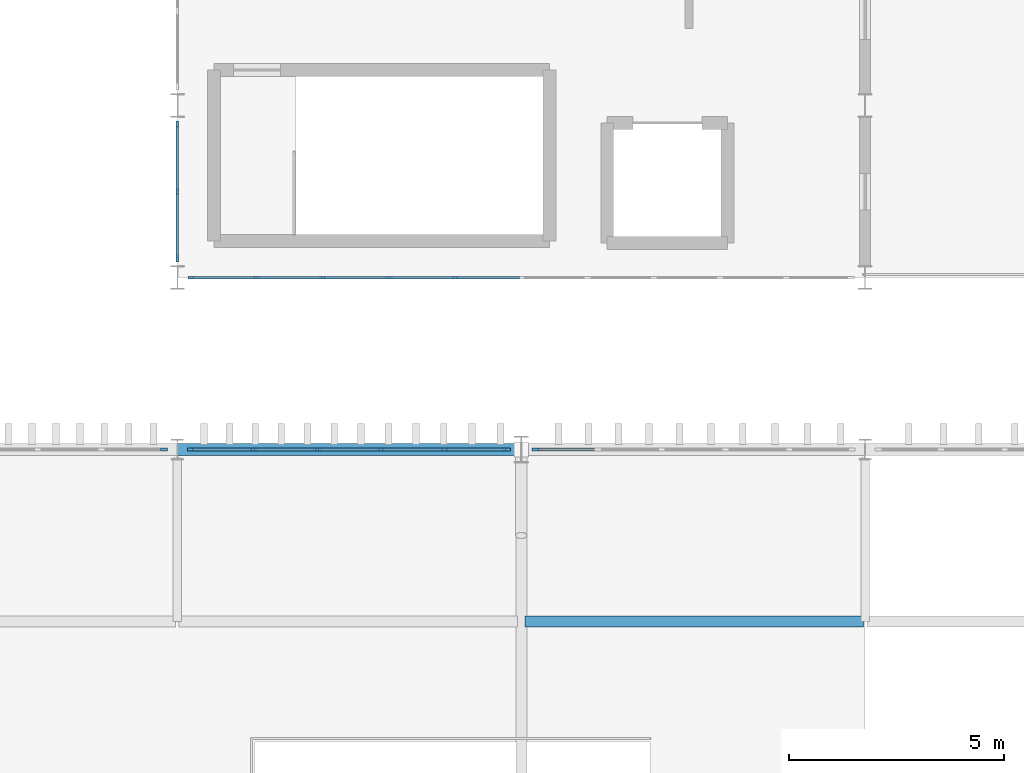
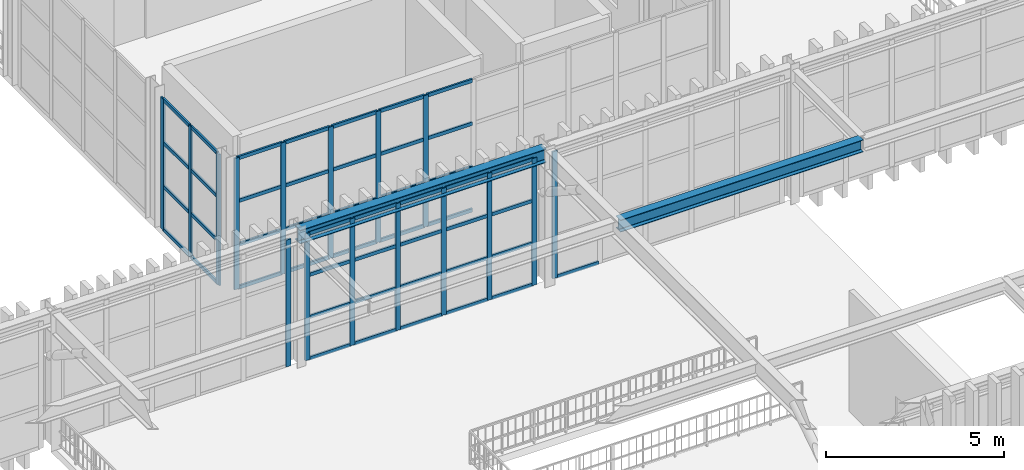
# One storey, part 25 of 61: 65 members, 2 beams, 5 elements without a shape of their own.
"""IFC4 building model written with IfcOpenShell, lengths in metres."""

from ifc_helpers import new_model, si_unit, direction, frame, origin, origin_2d, place, context, subcontext, project, spatial, rectangle, i_section, extrude, material, material_profile, profile_set, type_object, element, aggregate, save


model = new_model("IFC4")

# Units and contexts
model_context = context("Model", 3, precision=1e-05, world=origin(), true_north=direction((0.0, 1.0)))
body_context = subcontext(model_context, "Body", "Model", "MODEL_VIEW")
ifc_project = project(units=[si_unit("LENGTHUNIT", "METRE"), si_unit("AREAUNIT", "SQUARE_METRE"), si_unit("VOLUMEUNIT", "CUBIC_METRE"), si_unit("PLANEANGLEUNIT", "RADIAN"), si_unit("MASSUNIT", "GRAM", prefix="KILO")], contexts=[model_context])

# Site, building, storey
site_placement = place(None, origin())
site = spatial("IfcSite", under=ifc_project, at=site_placement, CompositionType="ELEMENT")
building_placement = place(site_placement, origin())
building = spatial("IfcBuilding", under=site, at=building_placement, Name="Serraluz Foothill Cableway Terminal", CompositionType="ELEMENT")
storey_placement = place(building_placement, frame((0.0, 0.0, 15.0)))
storey = spatial("IfcBuildingStorey", under=building, at=storey_placement, Name="L03", CompositionType="ELEMENT", Elevation=15.0)

# Curtain wall, member
ifc_material_1 = material(Name="Architectural bronze alloy C28000", Category="aluminium")
curtain_wall_type_1 = type_object("IfcCurtainWallType", Name="TYP-CW-440X360", PredefinedType="NOTDEFINED", material=ifc_material_1)
curtain_wall_1_placement = place(storey_placement, origin())
curtain_wall_1 = element("IfcCurtainWall", 1, at=curtain_wall_1_placement, inside=storey, type_object=curtain_wall_type_1, Name="Ribbed Glazed Curtain Wall CW-V1N-L03-72", PredefinedType="NOTDEFINED")
ifc_material_profile_1 = material_profile(ifc_material_1, rectangle(XDim=0.06005859375, YDim=0.159912109375, at=origin_2d()), Name="ALU MULLION 60x160")
ifc_profile_set_1 = profile_set([ifc_material_profile_1], Name="Architectural bronze alloy C28000")
member_type_1 = type_object("IfcMemberType", Name="TYP-CW-MUL-60X160", PredefinedType="MULLION", material=ifc_profile_set_1)
member_1_placement = place(storey_placement, frame((79.6884765625, 72.0, 0.0), z_axis=(0.0, 0.0, 1.0), x_axis=(0.0, 1.0, 0.0)))
member_1 = element("IfcMember", 2, at=member_1_placement, type_object=member_type_1, Name="CW-16 mullion 6", PredefinedType="MULLION", context=body_context, shape_type="SweptSolid", body=[
    extrude(rectangle(XDim=0.06005859375, YDim=0.159912109375, at=origin_2d()), origin(), (0.0, 0.0, 1.0), 4.35009765625),
])
aggregate(curtain_wall_1, [member_1])

# Curtain wall, members
curtain_wall_type_2 = type_object("IfcCurtainWallType", Name="TYP-CW-380X420", PredefinedType="NOTDEFINED", material=ifc_material_1)
curtain_wall_2_placement = place(storey_placement, origin())
curtain_wall_2 = element("IfcCurtainWall", 3, at=curtain_wall_2_placement, inside=storey, type_object=curtain_wall_type_2, Name="Ribbed Glazed Curtain Wall CW-V1N-L03-80", PredefinedType="NOTDEFINED")
member_2_placement = place(storey_placement, frame((80.3115234375, 72.0, 0.0), z_axis=(0.0, 0.0, 1.0), x_axis=(0.0, 1.0, 0.0)))
member_2 = element("IfcMember", 4, at=member_2_placement, type_object=member_type_1, Name="CW-17 mullion 1", PredefinedType="MULLION", context=body_context, shape_type="SweptSolid", body=[
    extrude(rectangle(XDim=0.06005859375, YDim=0.159912109375, at=origin_2d()), origin(), (0.0, 0.0, 1.0), 4.35009765625),
])
member_3_placement = place(storey_placement, frame((81.7646484375, 72.0, 0.0), z_axis=(0.0, 0.0, 1.0), x_axis=(0.0, 1.0, 0.0)))
member_3 = element("IfcMember", 5, at=member_3_placement, type_object=member_type_1, Name="CW-17 mullion 2", PredefinedType="MULLION", context=body_context, shape_type="SweptSolid", body=[
    extrude(rectangle(XDim=0.06005859375, YDim=0.159912109375, at=origin_2d()), origin(), (0.0, 0.0, 1.0), 4.35009765625),
])
member_4_placement = place(storey_placement, frame((83.247802734375, 72.0, 0.0), z_axis=(0.0, 0.0, 1.0), x_axis=(0.0, 1.0, 0.0)))
member_4 = element("IfcMember", 6, at=member_4_placement, type_object=member_type_1, Name="CW-17 mullion 3", PredefinedType="MULLION", context=body_context, shape_type="SweptSolid", body=[
    extrude(rectangle(XDim=0.06005859375, YDim=0.159912109375, at=origin_2d()), origin(), (0.0, 0.0, 1.0), 4.35009765625),
])
member_5_placement = place(storey_placement, frame((84.731201171875, 72.0, 0.0), z_axis=(0.0, 0.0, 1.0), x_axis=(0.0, 1.0, 0.0)))
member_5 = element("IfcMember", 7, at=member_5_placement, type_object=member_type_1, Name="CW-17 mullion 4", PredefinedType="MULLION", context=body_context, shape_type="SweptSolid", body=[
    extrude(rectangle(XDim=0.06005859375, YDim=0.159912109375, at=origin_2d()), origin(), (0.0, 0.0, 1.0), 4.35009765625),
])
member_6_placement = place(storey_placement, frame((86.21435546875, 72.0, 0.0), z_axis=(0.0, 0.0, 1.0), x_axis=(0.0, 1.0, 0.0)))
member_6 = element("IfcMember", 8, at=member_6_placement, type_object=member_type_1, Name="CW-17 mullion 5", PredefinedType="MULLION", context=body_context, shape_type="SweptSolid", body=[
    extrude(rectangle(XDim=0.06005859375, YDim=0.159912109375, at=origin_2d()), origin(), (0.0, 0.0, 1.0), 4.35009765625),
])
member_7_placement = place(storey_placement, frame((87.66748046875, 72.0, 0.0), z_axis=(0.0, 0.0, 1.0), x_axis=(0.0, 1.0, 0.0)))
member_7 = element("IfcMember", 9, at=member_7_placement, type_object=member_type_1, Name="CW-17 mullion 6", PredefinedType="MULLION", context=body_context, shape_type="SweptSolid", body=[
    extrude(rectangle(XDim=0.06005859375, YDim=0.159912109375, at=origin_2d()), origin(), (0.0, 0.0, 1.0), 4.35009765625),
])

# Curtain wall, member
curtain_wall_type_3 = type_object("IfcCurtainWallType", Name="TYP-CW-360X380", PredefinedType="NOTDEFINED", material=ifc_material_1)
curtain_wall_3_placement = place(storey_placement, origin())
curtain_wall_3 = element("IfcCurtainWall", 10, at=curtain_wall_3_placement, inside=storey, type_object=curtain_wall_type_3, Name="Ribbed Glazed Curtain Wall CW-V1N-L03-88", PredefinedType="NOTDEFINED")
member_8_placement = place(storey_placement, frame((88.33251953125, 72.0, 0.0), z_axis=(0.0, 0.0, 1.0), x_axis=(0.0, 1.0, 0.0)))
member_8 = element("IfcMember", 11, at=member_8_placement, type_object=member_type_1, Name="CW-18 mullion 1", PredefinedType="MULLION", context=body_context, shape_type="SweptSolid", body=[
    extrude(rectangle(XDim=0.06005859375, YDim=0.159912109375, at=origin_2d()), origin(), (0.0, 0.0, 1.0), 4.35009765625),
])

# Curtain wall, members
curtain_wall_type_4 = type_object("IfcCurtainWallType", Name="TYP-CW-640X440", PredefinedType="NOTDEFINED", material=ifc_material_1)
curtain_wall_4_placement = place(storey_placement, origin())
curtain_wall_4 = element("IfcCurtainWall", 12, at=curtain_wall_4_placement, inside=storey, type_object=curtain_wall_type_4, Name="Ribbed Glazed Curtain Wall CW-V4S-L03-80", PredefinedType="NOTDEFINED")
member_9_placement = place(storey_placement, frame((86.459228515625, 76.0, 0.0), z_axis=(0.0, 0.0, 1.0), x_axis=(0.0, -1.0, 0.0)))
member_9 = element("IfcMember", 13, at=member_9_placement, type_object=member_type_1, Name="CW-12 mullion 7", PredefinedType="MULLION", context=body_context, shape_type="SweptSolid", body=[
    extrude(rectangle(XDim=0.06005859375, YDim=0.159912109375, at=origin_2d()), origin(), (0.0, 0.0, 1.0), 4.5),
])
member_10_placement = place(storey_placement, frame((84.91845703125, 76.0, 0.0), z_axis=(0.0, 0.0, 1.0), x_axis=(0.0, -1.0, 0.0)))
member_10 = element("IfcMember", 14, at=member_10_placement, type_object=member_type_1, Name="CW-12 mullion 8", PredefinedType="MULLION", context=body_context, shape_type="SweptSolid", body=[
    extrude(rectangle(XDim=0.06005859375, YDim=0.159912109375, at=origin_2d()), origin(), (0.0, 0.0, 1.0), 4.5),
])
member_11_placement = place(storey_placement, frame((83.377685546875, 76.0, 0.0), z_axis=(0.0, 0.0, 1.0), x_axis=(0.0, -1.0, 0.0)))
member_11 = element("IfcMember", 15, at=member_11_placement, type_object=member_type_1, Name="CW-12 mullion 9", PredefinedType="MULLION", context=body_context, shape_type="SweptSolid", body=[
    extrude(rectangle(XDim=0.06005859375, YDim=0.159912109375, at=origin_2d()), origin(), (0.0, 0.0, 1.0), 4.5),
])
member_12_placement = place(storey_placement, frame((81.8369140625, 76.0, 0.0), z_axis=(0.0, 0.0, 1.0), x_axis=(0.0, -1.0, 0.0)))
member_12 = element("IfcMember", 16, at=member_12_placement, type_object=member_type_1, Name="CW-12 mullion 10", PredefinedType="MULLION", context=body_context, shape_type="SweptSolid", body=[
    extrude(rectangle(XDim=0.06005859375, YDim=0.159912109375, at=origin_2d()), origin(), (0.0, 0.0, 1.0), 4.5),
])
member_13_placement = place(storey_placement, frame((80.325927734375, 76.0, 0.0), z_axis=(0.0, 0.0, 1.0), x_axis=(0.0, -1.0, 0.0)))
member_13 = element("IfcMember", 17, at=member_13_placement, type_object=member_type_1, Name="CW-12 mullion 11", PredefinedType="MULLION", context=body_context, shape_type="SweptSolid", body=[
    extrude(rectangle(XDim=0.06005859375, YDim=0.159912109375, at=origin_2d()), origin(), (0.0, 0.0, 1.0), 4.5),
])

curtain_wall_5_placement = place(storey_placement, origin())
curtain_wall_5 = element("IfcCurtainWall", 18, at=curtain_wall_5_placement, inside=storey, type_object=curtain_wall_type_4, Name="Ribbed Glazed Curtain Wall CW-V4W-L03-1", PredefinedType="NOTDEFINED")
member_14_placement = place(storey_placement, frame((80.0, 76.44140625, 0.0), z_axis=(0.0, 0.0, 1.0), x_axis=(-1.0, 0.0, 0.0)))
member_14 = element("IfcMember", 19, at=member_14_placement, type_object=member_type_1, Name="CW-12 mullion 1", PredefinedType="MULLION", context=body_context, shape_type="SweptSolid", body=[
    extrude(rectangle(XDim=0.06005859375, YDim=0.159912109375, at=origin_2d()), origin(), (0.0, 0.0, 1.0), 4.5),
])
member_15_placement = place(storey_placement, frame((80.0, 78.0, 0.0), z_axis=(0.0, 0.0, 1.0), x_axis=(-1.0, 0.0, 0.0)))
member_15 = element("IfcMember", 20, at=member_15_placement, type_object=member_type_1, Name="CW-12 mullion 2", PredefinedType="MULLION", context=body_context, shape_type="SweptSolid", body=[
    extrude(rectangle(XDim=0.06005859375, YDim=0.159912109375, at=origin_2d()), origin(), (0.0, 0.0, 1.0), 4.5),
])
member_16_placement = place(storey_placement, frame((80.0, 79.55859375, 0.0), z_axis=(0.0, 0.0, 1.0), x_axis=(-1.0, 0.0, 0.0)))
member_16 = element("IfcMember", 21, at=member_16_placement, type_object=member_type_1, Name="CW-12 mullion 3", PredefinedType="MULLION", context=body_context, shape_type="SweptSolid", body=[
    extrude(rectangle(XDim=0.06005859375, YDim=0.159912109375, at=origin_2d()), origin(), (0.0, 0.0, 1.0), 4.5),
])

# Member
ifc_material_profile_2 = material_profile(ifc_material_1, rectangle(XDim=0.06005859375, YDim=0.1201171875, at=origin_2d()), Name="ALU TRANSOM 60x120")
ifc_profile_set_2 = profile_set([ifc_material_profile_2], Name="Architectural bronze alloy C28000")
member_type_2 = type_object("IfcMemberType", Name="TYP-CW-TRN-60X120", PredefinedType="USERDEFINED", material=ifc_profile_set_2)
member_17_placement = place(storey_placement, frame((80.341552734375, 72.0, 0.030029296875), z_axis=(1.0, 0.0, 0.0), x_axis=(0.0, 1.0, 0.0)))
member_17 = element("IfcMember", 22, at=member_17_placement, type_object=member_type_2, Name="CW-17 transom 1.1", ObjectType="TRANSOM", PredefinedType="USERDEFINED", context=body_context, shape_type="SweptSolid", body=[
    extrude(rectangle(XDim=0.06005859375, YDim=0.1201171875, at=origin_2d()), origin(), (0.0, 0.0, 1.0), 1.39306640625),
])

member_18_placement = place(storey_placement, frame((80.341552734375, 72.0, 1.449951171875), z_axis=(1.0, 0.0, 0.0), x_axis=(0.0, 1.0, 0.0)))
member_18 = element("IfcMember", 23, at=member_18_placement, type_object=member_type_2, Name="CW-17 transom 1.2", ObjectType="TRANSOM", PredefinedType="USERDEFINED", context=body_context, shape_type="SweptSolid", body=[
    extrude(rectangle(XDim=0.06005859375, YDim=0.1201171875, at=origin_2d()), origin(), (0.0, 0.0, 1.0), 1.39306640625),
])

member_19_placement = place(storey_placement, frame((80.341552734375, 72.0, 2.89990234375), z_axis=(1.0, 0.0, 0.0), x_axis=(0.0, 1.0, 0.0)))
member_19 = element("IfcMember", 24, at=member_19_placement, type_object=member_type_2, Name="CW-17 transom 1.3", ObjectType="TRANSOM", PredefinedType="USERDEFINED", context=body_context, shape_type="SweptSolid", body=[
    extrude(rectangle(XDim=0.06005859375, YDim=0.1201171875, at=origin_2d()), origin(), (0.0, 0.0, 1.0), 1.39306640625),
])

member_20_placement = place(storey_placement, frame((80.341552734375, 72.0, 4.320068359375), z_axis=(1.0, 0.0, 0.0), x_axis=(0.0, 1.0, 0.0)))
member_20 = element("IfcMember", 25, at=member_20_placement, type_object=member_type_2, Name="CW-17 transom 1.4", ObjectType="TRANSOM", PredefinedType="USERDEFINED", context=body_context, shape_type="SweptSolid", body=[
    extrude(rectangle(XDim=0.06005859375, YDim=0.1201171875, at=origin_2d()), origin(), (0.0, 0.0, 1.0), 1.39306640625),
])

member_21_placement = place(storey_placement, frame((81.794677734375, 72.0, 0.030029296875), z_axis=(1.0, 0.0, 0.0), x_axis=(0.0, 1.0, 0.0)))
member_21 = element("IfcMember", 26, at=member_21_placement, type_object=member_type_2, Name="CW-17 transom 2.1", ObjectType="TRANSOM", PredefinedType="USERDEFINED", context=body_context, shape_type="SweptSolid", body=[
    extrude(rectangle(XDim=0.06005859375, YDim=0.1201171875, at=origin_2d()), origin(), (0.0, 0.0, 1.0), 1.42333984375),
])

member_22_placement = place(storey_placement, frame((81.794677734375, 72.0, 1.449951171875), z_axis=(1.0, 0.0, 0.0), x_axis=(0.0, 1.0, 0.0)))
member_22 = element("IfcMember", 27, at=member_22_placement, type_object=member_type_2, Name="CW-17 transom 2.2", ObjectType="TRANSOM", PredefinedType="USERDEFINED", context=body_context, shape_type="SweptSolid", body=[
    extrude(rectangle(XDim=0.06005859375, YDim=0.1201171875, at=origin_2d()), origin(), (0.0, 0.0, 1.0), 1.42333984375),
])

member_23_placement = place(storey_placement, frame((81.794677734375, 72.0, 2.89990234375), z_axis=(1.0, 0.0, 0.0), x_axis=(0.0, 1.0, 0.0)))
member_23 = element("IfcMember", 28, at=member_23_placement, type_object=member_type_2, Name="CW-17 transom 2.3", ObjectType="TRANSOM", PredefinedType="USERDEFINED", context=body_context, shape_type="SweptSolid", body=[
    extrude(rectangle(XDim=0.06005859375, YDim=0.1201171875, at=origin_2d()), origin(), (0.0, 0.0, 1.0), 1.42333984375),
])

member_24_placement = place(storey_placement, frame((81.794677734375, 72.0, 4.320068359375), z_axis=(1.0, 0.0, 0.0), x_axis=(0.0, 1.0, 0.0)))
member_24 = element("IfcMember", 29, at=member_24_placement, type_object=member_type_2, Name="CW-17 transom 2.4", ObjectType="TRANSOM", PredefinedType="USERDEFINED", context=body_context, shape_type="SweptSolid", body=[
    extrude(rectangle(XDim=0.06005859375, YDim=0.1201171875, at=origin_2d()), origin(), (0.0, 0.0, 1.0), 1.42333984375),
])

member_25_placement = place(storey_placement, frame((83.27783203125, 72.0, 0.030029296875), z_axis=(1.0, 0.0, 0.0), x_axis=(0.0, 1.0, 0.0)))
member_25 = element("IfcMember", 30, at=member_25_placement, type_object=member_type_2, Name="CW-17 transom 3.1", ObjectType="TRANSOM", PredefinedType="USERDEFINED", context=body_context, shape_type="SweptSolid", body=[
    extrude(rectangle(XDim=0.06005859375, YDim=0.1201171875, at=origin_2d()), origin(), (0.0, 0.0, 1.0), 1.42333984375),
])

member_26_placement = place(storey_placement, frame((83.27783203125, 72.0, 1.449951171875), z_axis=(1.0, 0.0, 0.0), x_axis=(0.0, 1.0, 0.0)))
member_26 = element("IfcMember", 31, at=member_26_placement, type_object=member_type_2, Name="CW-17 transom 3.2", ObjectType="TRANSOM", PredefinedType="USERDEFINED", context=body_context, shape_type="SweptSolid", body=[
    extrude(rectangle(XDim=0.06005859375, YDim=0.1201171875, at=origin_2d()), origin(), (0.0, 0.0, 1.0), 1.42333984375),
])

member_27_placement = place(storey_placement, frame((83.27783203125, 72.0, 2.89990234375), z_axis=(1.0, 0.0, 0.0), x_axis=(0.0, 1.0, 0.0)))
member_27 = element("IfcMember", 32, at=member_27_placement, type_object=member_type_2, Name="CW-17 transom 3.3", ObjectType="TRANSOM", PredefinedType="USERDEFINED", context=body_context, shape_type="SweptSolid", body=[
    extrude(rectangle(XDim=0.06005859375, YDim=0.1201171875, at=origin_2d()), origin(), (0.0, 0.0, 1.0), 1.42333984375),
])

member_28_placement = place(storey_placement, frame((83.27783203125, 72.0, 4.320068359375), z_axis=(1.0, 0.0, 0.0), x_axis=(0.0, 1.0, 0.0)))
member_28 = element("IfcMember", 33, at=member_28_placement, type_object=member_type_2, Name="CW-17 transom 3.4", ObjectType="TRANSOM", PredefinedType="USERDEFINED", context=body_context, shape_type="SweptSolid", body=[
    extrude(rectangle(XDim=0.06005859375, YDim=0.1201171875, at=origin_2d()), origin(), (0.0, 0.0, 1.0), 1.42333984375),
])

member_29_placement = place(storey_placement, frame((84.760986328125, 72.0, 0.030029296875), z_axis=(1.0, 0.0, 0.0), x_axis=(0.0, 1.0, 0.0)))
member_29 = element("IfcMember", 34, at=member_29_placement, type_object=member_type_2, Name="CW-17 transom 4.1", ObjectType="TRANSOM", PredefinedType="USERDEFINED", context=body_context, shape_type="SweptSolid", body=[
    extrude(rectangle(XDim=0.06005859375, YDim=0.1201171875, at=origin_2d()), origin(), (0.0, 0.0, 1.0), 1.42333984375),
])

member_30_placement = place(storey_placement, frame((84.760986328125, 72.0, 1.449951171875), z_axis=(1.0, 0.0, 0.0), x_axis=(0.0, 1.0, 0.0)))
member_30 = element("IfcMember", 35, at=member_30_placement, type_object=member_type_2, Name="CW-17 transom 4.2", ObjectType="TRANSOM", PredefinedType="USERDEFINED", context=body_context, shape_type="SweptSolid", body=[
    extrude(rectangle(XDim=0.06005859375, YDim=0.1201171875, at=origin_2d()), origin(), (0.0, 0.0, 1.0), 1.42333984375),
])

member_31_placement = place(storey_placement, frame((84.760986328125, 72.0, 2.89990234375), z_axis=(1.0, 0.0, 0.0), x_axis=(0.0, 1.0, 0.0)))
member_31 = element("IfcMember", 36, at=member_31_placement, type_object=member_type_2, Name="CW-17 transom 4.3", ObjectType="TRANSOM", PredefinedType="USERDEFINED", context=body_context, shape_type="SweptSolid", body=[
    extrude(rectangle(XDim=0.06005859375, YDim=0.1201171875, at=origin_2d()), origin(), (0.0, 0.0, 1.0), 1.42333984375),
])

member_32_placement = place(storey_placement, frame((84.760986328125, 72.0, 4.320068359375), z_axis=(1.0, 0.0, 0.0), x_axis=(0.0, 1.0, 0.0)))
member_32 = element("IfcMember", 37, at=member_32_placement, type_object=member_type_2, Name="CW-17 transom 4.4", ObjectType="TRANSOM", PredefinedType="USERDEFINED", context=body_context, shape_type="SweptSolid", body=[
    extrude(rectangle(XDim=0.06005859375, YDim=0.1201171875, at=origin_2d()), origin(), (0.0, 0.0, 1.0), 1.42333984375),
])

member_33_placement = place(storey_placement, frame((86.244384765625, 72.0, 0.030029296875), z_axis=(1.0, 0.0, 0.0), x_axis=(0.0, 1.0, 0.0)))
member_33 = element("IfcMember", 38, at=member_33_placement, type_object=member_type_2, Name="CW-17 transom 5.1", ObjectType="TRANSOM", PredefinedType="USERDEFINED", context=body_context, shape_type="SweptSolid", body=[
    extrude(rectangle(XDim=0.06005859375, YDim=0.1201171875, at=origin_2d()), origin(), (0.0, 0.0, 1.0), 1.39306640625),
])

member_34_placement = place(storey_placement, frame((86.244384765625, 72.0, 1.449951171875), z_axis=(1.0, 0.0, 0.0), x_axis=(0.0, 1.0, 0.0)))
member_34 = element("IfcMember", 39, at=member_34_placement, type_object=member_type_2, Name="CW-17 transom 5.2", ObjectType="TRANSOM", PredefinedType="USERDEFINED", context=body_context, shape_type="SweptSolid", body=[
    extrude(rectangle(XDim=0.06005859375, YDim=0.1201171875, at=origin_2d()), origin(), (0.0, 0.0, 1.0), 1.39306640625),
])

member_35_placement = place(storey_placement, frame((86.244384765625, 72.0, 2.89990234375), z_axis=(1.0, 0.0, 0.0), x_axis=(0.0, 1.0, 0.0)))
member_35 = element("IfcMember", 40, at=member_35_placement, type_object=member_type_2, Name="CW-17 transom 5.3", ObjectType="TRANSOM", PredefinedType="USERDEFINED", context=body_context, shape_type="SweptSolid", body=[
    extrude(rectangle(XDim=0.06005859375, YDim=0.1201171875, at=origin_2d()), origin(), (0.0, 0.0, 1.0), 1.39306640625),
])

member_36_placement = place(storey_placement, frame((86.244384765625, 72.0, 4.320068359375), z_axis=(1.0, 0.0, 0.0), x_axis=(0.0, 1.0, 0.0)))
member_36 = element("IfcMember", 41, at=member_36_placement, type_object=member_type_2, Name="CW-17 transom 5.4", ObjectType="TRANSOM", PredefinedType="USERDEFINED", context=body_context, shape_type="SweptSolid", body=[
    extrude(rectangle(XDim=0.06005859375, YDim=0.1201171875, at=origin_2d()), origin(), (0.0, 0.0, 1.0), 1.39306640625),
])

aggregate(curtain_wall_2, [member_2, member_3, member_4, member_5, member_6, member_7, member_17, member_18, member_19, member_20, member_21, member_22, member_23, member_24, member_25, member_26, member_27, member_28, member_29, member_30, member_31, member_32, member_33, member_34, member_35, member_36])

member_37_placement = place(storey_placement, frame((88.362548828125, 72.0, 0.030029296875), z_axis=(1.0, 0.0, 0.0), x_axis=(0.0, 1.0, 0.0)))
member_37 = element("IfcMember", 42, at=member_37_placement, type_object=member_type_2, Name="CW-18 transom 1.1", ObjectType="TRANSOM", PredefinedType="USERDEFINED", context=body_context, shape_type="SweptSolid", body=[
    extrude(rectangle(XDim=0.06005859375, YDim=0.1201171875, at=origin_2d()), origin(), (0.0, 0.0, 1.0), 1.39306640625),
])

aggregate(curtain_wall_3, [member_8, member_37])

member_38_placement = place(storey_placement, frame((87.969970703125, 76.0, 0.030029296875), z_axis=(-1.0, 0.0, 0.0), x_axis=(0.0, -1.0, 0.0)))
member_38 = element("IfcMember", 43, at=member_38_placement, type_object=member_type_2, Name="CW-12 transom 6.1", ObjectType="TRANSOM", PredefinedType="USERDEFINED", context=body_context, shape_type="SweptSolid", body=[
    extrude(rectangle(XDim=0.06005859375, YDim=0.1201171875, at=origin_2d()), origin(), (0.0, 0.0, 1.0), 1.480712890625),
])

member_39_placement = place(storey_placement, frame((87.969970703125, 76.0, 1.5), z_axis=(-1.0, 0.0, 0.0), x_axis=(0.0, -1.0, 0.0)))
member_39 = element("IfcMember", 44, at=member_39_placement, type_object=member_type_2, Name="CW-12 transom 6.2", ObjectType="TRANSOM", PredefinedType="USERDEFINED", context=body_context, shape_type="SweptSolid", body=[
    extrude(rectangle(XDim=0.06005859375, YDim=0.1201171875, at=origin_2d()), origin(), (0.0, 0.0, 1.0), 1.480712890625),
])

member_40_placement = place(storey_placement, frame((87.969970703125, 76.0, 3.0), z_axis=(-1.0, 0.0, 0.0), x_axis=(0.0, -1.0, 0.0)))
member_40 = element("IfcMember", 45, at=member_40_placement, type_object=member_type_2, Name="CW-12 transom 6.3", ObjectType="TRANSOM", PredefinedType="USERDEFINED", context=body_context, shape_type="SweptSolid", body=[
    extrude(rectangle(XDim=0.06005859375, YDim=0.1201171875, at=origin_2d()), origin(), (0.0, 0.0, 1.0), 1.480712890625),
])

member_41_placement = place(storey_placement, frame((87.969970703125, 76.0, 4.469970703125), z_axis=(-1.0, 0.0, 0.0), x_axis=(0.0, -1.0, 0.0)))
member_41 = element("IfcMember", 46, at=member_41_placement, type_object=member_type_2, Name="CW-12 transom 6.4", ObjectType="TRANSOM", PredefinedType="USERDEFINED", context=body_context, shape_type="SweptSolid", body=[
    extrude(rectangle(XDim=0.06005859375, YDim=0.1201171875, at=origin_2d()), origin(), (0.0, 0.0, 1.0), 1.480712890625),
])

member_42_placement = place(storey_placement, frame((86.42919921875, 76.0, 0.030029296875), z_axis=(-1.0, 0.0, 0.0), x_axis=(0.0, -1.0, 0.0)))
member_42 = element("IfcMember", 47, at=member_42_placement, type_object=member_type_2, Name="CW-12 transom 7.1", ObjectType="TRANSOM", PredefinedType="USERDEFINED", context=body_context, shape_type="SweptSolid", body=[
    extrude(rectangle(XDim=0.06005859375, YDim=0.1201171875, at=origin_2d()), origin(), (0.0, 0.0, 1.0), 1.480712890625),
])

member_43_placement = place(storey_placement, frame((86.42919921875, 76.0, 1.5), z_axis=(-1.0, 0.0, 0.0), x_axis=(0.0, -1.0, 0.0)))
member_43 = element("IfcMember", 48, at=member_43_placement, type_object=member_type_2, Name="CW-12 transom 7.2", ObjectType="TRANSOM", PredefinedType="USERDEFINED", context=body_context, shape_type="SweptSolid", body=[
    extrude(rectangle(XDim=0.06005859375, YDim=0.1201171875, at=origin_2d()), origin(), (0.0, 0.0, 1.0), 1.480712890625),
])

member_44_placement = place(storey_placement, frame((86.42919921875, 76.0, 3.0), z_axis=(-1.0, 0.0, 0.0), x_axis=(0.0, -1.0, 0.0)))
member_44 = element("IfcMember", 49, at=member_44_placement, type_object=member_type_2, Name="CW-12 transom 7.3", ObjectType="TRANSOM", PredefinedType="USERDEFINED", context=body_context, shape_type="SweptSolid", body=[
    extrude(rectangle(XDim=0.06005859375, YDim=0.1201171875, at=origin_2d()), origin(), (0.0, 0.0, 1.0), 1.480712890625),
])

member_45_placement = place(storey_placement, frame((86.42919921875, 76.0, 4.469970703125), z_axis=(-1.0, 0.0, 0.0), x_axis=(0.0, -1.0, 0.0)))
member_45 = element("IfcMember", 50, at=member_45_placement, type_object=member_type_2, Name="CW-12 transom 7.4", ObjectType="TRANSOM", PredefinedType="USERDEFINED", context=body_context, shape_type="SweptSolid", body=[
    extrude(rectangle(XDim=0.06005859375, YDim=0.1201171875, at=origin_2d()), origin(), (0.0, 0.0, 1.0), 1.480712890625),
])

member_46_placement = place(storey_placement, frame((84.888427734375, 76.0, 0.030029296875), z_axis=(-1.0, 0.0, 0.0), x_axis=(0.0, -1.0, 0.0)))
member_46 = element("IfcMember", 51, at=member_46_placement, type_object=member_type_2, Name="CW-12 transom 8.1", ObjectType="TRANSOM", PredefinedType="USERDEFINED", context=body_context, shape_type="SweptSolid", body=[
    extrude(rectangle(XDim=0.06005859375, YDim=0.1201171875, at=origin_2d()), origin(), (0.0, 0.0, 1.0), 1.480712890625),
])

member_47_placement = place(storey_placement, frame((84.888427734375, 76.0, 1.5), z_axis=(-1.0, 0.0, 0.0), x_axis=(0.0, -1.0, 0.0)))
member_47 = element("IfcMember", 52, at=member_47_placement, type_object=member_type_2, Name="CW-12 transom 8.2", ObjectType="TRANSOM", PredefinedType="USERDEFINED", context=body_context, shape_type="SweptSolid", body=[
    extrude(rectangle(XDim=0.06005859375, YDim=0.1201171875, at=origin_2d()), origin(), (0.0, 0.0, 1.0), 1.480712890625),
])

member_48_placement = place(storey_placement, frame((84.888427734375, 76.0, 3.0), z_axis=(-1.0, 0.0, 0.0), x_axis=(0.0, -1.0, 0.0)))
member_48 = element("IfcMember", 53, at=member_48_placement, type_object=member_type_2, Name="CW-12 transom 8.3", ObjectType="TRANSOM", PredefinedType="USERDEFINED", context=body_context, shape_type="SweptSolid", body=[
    extrude(rectangle(XDim=0.06005859375, YDim=0.1201171875, at=origin_2d()), origin(), (0.0, 0.0, 1.0), 1.480712890625),
])

member_49_placement = place(storey_placement, frame((84.888427734375, 76.0, 4.469970703125), z_axis=(-1.0, 0.0, 0.0), x_axis=(0.0, -1.0, 0.0)))
member_49 = element("IfcMember", 54, at=member_49_placement, type_object=member_type_2, Name="CW-12 transom 8.4", ObjectType="TRANSOM", PredefinedType="USERDEFINED", context=body_context, shape_type="SweptSolid", body=[
    extrude(rectangle(XDim=0.06005859375, YDim=0.1201171875, at=origin_2d()), origin(), (0.0, 0.0, 1.0), 1.480712890625),
])

member_50_placement = place(storey_placement, frame((83.34765625, 76.0, 0.030029296875), z_axis=(-1.0, 0.0, 0.0), x_axis=(0.0, -1.0, 0.0)))
member_50 = element("IfcMember", 55, at=member_50_placement, type_object=member_type_2, Name="CW-12 transom 9.1", ObjectType="TRANSOM", PredefinedType="USERDEFINED", context=body_context, shape_type="SweptSolid", body=[
    extrude(rectangle(XDim=0.06005859375, YDim=0.1201171875, at=origin_2d()), origin(), (0.0, 0.0, 1.0), 1.48095703125),
])

member_51_placement = place(storey_placement, frame((83.34765625, 76.0, 1.5), z_axis=(-1.0, 0.0, 0.0), x_axis=(0.0, -1.0, 0.0)))
member_51 = element("IfcMember", 56, at=member_51_placement, type_object=member_type_2, Name="CW-12 transom 9.2", ObjectType="TRANSOM", PredefinedType="USERDEFINED", context=body_context, shape_type="SweptSolid", body=[
    extrude(rectangle(XDim=0.06005859375, YDim=0.1201171875, at=origin_2d()), origin(), (0.0, 0.0, 1.0), 1.48095703125),
])

member_52_placement = place(storey_placement, frame((83.34765625, 76.0, 3.0), z_axis=(-1.0, 0.0, 0.0), x_axis=(0.0, -1.0, 0.0)))
member_52 = element("IfcMember", 57, at=member_52_placement, type_object=member_type_2, Name="CW-12 transom 9.3", ObjectType="TRANSOM", PredefinedType="USERDEFINED", context=body_context, shape_type="SweptSolid", body=[
    extrude(rectangle(XDim=0.06005859375, YDim=0.1201171875, at=origin_2d()), origin(), (0.0, 0.0, 1.0), 1.48095703125),
])

member_53_placement = place(storey_placement, frame((83.34765625, 76.0, 4.469970703125), z_axis=(-1.0, 0.0, 0.0), x_axis=(0.0, -1.0, 0.0)))
member_53 = element("IfcMember", 58, at=member_53_placement, type_object=member_type_2, Name="CW-12 transom 9.4", ObjectType="TRANSOM", PredefinedType="USERDEFINED", context=body_context, shape_type="SweptSolid", body=[
    extrude(rectangle(XDim=0.06005859375, YDim=0.1201171875, at=origin_2d()), origin(), (0.0, 0.0, 1.0), 1.48095703125),
])

member_54_placement = place(storey_placement, frame((81.806884765625, 76.0, 0.030029296875), z_axis=(-1.0, 0.0, 0.0), x_axis=(0.0, -1.0, 0.0)))
member_54 = element("IfcMember", 59, at=member_54_placement, type_object=member_type_2, Name="CW-12 transom 10.1", ObjectType="TRANSOM", PredefinedType="USERDEFINED", context=body_context, shape_type="SweptSolid", body=[
    extrude(rectangle(XDim=0.06005859375, YDim=0.1201171875, at=origin_2d()), origin(), (0.0, 0.0, 1.0), 1.450927734375),
])

member_55_placement = place(storey_placement, frame((81.806884765625, 76.0, 1.5), z_axis=(-1.0, 0.0, 0.0), x_axis=(0.0, -1.0, 0.0)))
member_55 = element("IfcMember", 60, at=member_55_placement, type_object=member_type_2, Name="CW-12 transom 10.2", ObjectType="TRANSOM", PredefinedType="USERDEFINED", context=body_context, shape_type="SweptSolid", body=[
    extrude(rectangle(XDim=0.06005859375, YDim=0.1201171875, at=origin_2d()), origin(), (0.0, 0.0, 1.0), 1.450927734375),
])

member_56_placement = place(storey_placement, frame((81.806884765625, 76.0, 3.0), z_axis=(-1.0, 0.0, 0.0), x_axis=(0.0, -1.0, 0.0)))
member_56 = element("IfcMember", 61, at=member_56_placement, type_object=member_type_2, Name="CW-12 transom 10.3", ObjectType="TRANSOM", PredefinedType="USERDEFINED", context=body_context, shape_type="SweptSolid", body=[
    extrude(rectangle(XDim=0.06005859375, YDim=0.1201171875, at=origin_2d()), origin(), (0.0, 0.0, 1.0), 1.450927734375),
])

member_57_placement = place(storey_placement, frame((81.806884765625, 76.0, 4.469970703125), z_axis=(-1.0, 0.0, 0.0), x_axis=(0.0, -1.0, 0.0)))
member_57 = element("IfcMember", 62, at=member_57_placement, type_object=member_type_2, Name="CW-12 transom 10.4", ObjectType="TRANSOM", PredefinedType="USERDEFINED", context=body_context, shape_type="SweptSolid", body=[
    extrude(rectangle(XDim=0.06005859375, YDim=0.1201171875, at=origin_2d()), origin(), (0.0, 0.0, 1.0), 1.450927734375),
])

aggregate(curtain_wall_4, [member_9, member_10, member_11, member_12, member_13, member_38, member_39, member_40, member_41, member_42, member_43, member_44, member_45, member_46, member_47, member_48, member_49, member_50, member_51, member_52, member_53, member_54, member_55, member_56, member_57])

member_58_placement = place(storey_placement, frame((80.0, 76.471435546875, 0.030029296875), z_axis=(0.0, 1.0, 0.0), x_axis=(-1.0, 0.0, 0.0)))
member_58 = element("IfcMember", 63, at=member_58_placement, type_object=member_type_2, Name="CW-12 transom 1.1", ObjectType="TRANSOM", PredefinedType="USERDEFINED", context=body_context, shape_type="SweptSolid", body=[
    extrude(rectangle(XDim=0.06005859375, YDim=0.1201171875, at=origin_2d()), origin(), (0.0, 0.0, 1.0), 1.49853515625),
])

member_59_placement = place(storey_placement, frame((80.0, 76.471435546875, 1.5), z_axis=(0.0, 1.0, 0.0), x_axis=(-1.0, 0.0, 0.0)))
member_59 = element("IfcMember", 64, at=member_59_placement, type_object=member_type_2, Name="CW-12 transom 1.2", ObjectType="TRANSOM", PredefinedType="USERDEFINED", context=body_context, shape_type="SweptSolid", body=[
    extrude(rectangle(XDim=0.06005859375, YDim=0.1201171875, at=origin_2d()), origin(), (0.0, 0.0, 1.0), 1.49853515625),
])

member_60_placement = place(storey_placement, frame((80.0, 76.471435546875, 3.0), z_axis=(0.0, 1.0, 0.0), x_axis=(-1.0, 0.0, 0.0)))
member_60 = element("IfcMember", 65, at=member_60_placement, type_object=member_type_2, Name="CW-12 transom 1.3", ObjectType="TRANSOM", PredefinedType="USERDEFINED", context=body_context, shape_type="SweptSolid", body=[
    extrude(rectangle(XDim=0.06005859375, YDim=0.1201171875, at=origin_2d()), origin(), (0.0, 0.0, 1.0), 1.49853515625),
])

member_61_placement = place(storey_placement, frame((80.0, 76.471435546875, 4.469970703125), z_axis=(0.0, 1.0, 0.0), x_axis=(-1.0, 0.0, 0.0)))
member_61 = element("IfcMember", 66, at=member_61_placement, type_object=member_type_2, Name="CW-12 transom 1.4", ObjectType="TRANSOM", PredefinedType="USERDEFINED", context=body_context, shape_type="SweptSolid", body=[
    extrude(rectangle(XDim=0.06005859375, YDim=0.1201171875, at=origin_2d()), origin(), (0.0, 0.0, 1.0), 1.49853515625),
])

member_62_placement = place(storey_placement, frame((80.0, 78.030029296875, 0.030029296875), z_axis=(0.0, 1.0, 0.0), x_axis=(-1.0, 0.0, 0.0)))
member_62 = element("IfcMember", 67, at=member_62_placement, type_object=member_type_2, Name="CW-12 transom 2.1", ObjectType="TRANSOM", PredefinedType="USERDEFINED", context=body_context, shape_type="SweptSolid", body=[
    extrude(rectangle(XDim=0.06005859375, YDim=0.1201171875, at=origin_2d()), origin(), (0.0, 0.0, 1.0), 1.49853515625),
])

member_63_placement = place(storey_placement, frame((80.0, 78.030029296875, 1.5), z_axis=(0.0, 1.0, 0.0), x_axis=(-1.0, 0.0, 0.0)))
member_63 = element("IfcMember", 68, at=member_63_placement, type_object=member_type_2, Name="CW-12 transom 2.2", ObjectType="TRANSOM", PredefinedType="USERDEFINED", context=body_context, shape_type="SweptSolid", body=[
    extrude(rectangle(XDim=0.06005859375, YDim=0.1201171875, at=origin_2d()), origin(), (0.0, 0.0, 1.0), 1.49853515625),
])

member_64_placement = place(storey_placement, frame((80.0, 78.030029296875, 3.0), z_axis=(0.0, 1.0, 0.0), x_axis=(-1.0, 0.0, 0.0)))
member_64 = element("IfcMember", 69, at=member_64_placement, type_object=member_type_2, Name="CW-12 transom 2.3", ObjectType="TRANSOM", PredefinedType="USERDEFINED", context=body_context, shape_type="SweptSolid", body=[
    extrude(rectangle(XDim=0.06005859375, YDim=0.1201171875, at=origin_2d()), origin(), (0.0, 0.0, 1.0), 1.49853515625),
])

member_65_placement = place(storey_placement, frame((80.0, 78.030029296875, 4.469970703125), z_axis=(0.0, 1.0, 0.0), x_axis=(-1.0, 0.0, 0.0)))
member_65 = element("IfcMember", 70, at=member_65_placement, type_object=member_type_2, Name="CW-12 transom 2.4", ObjectType="TRANSOM", PredefinedType="USERDEFINED", context=body_context, shape_type="SweptSolid", body=[
    extrude(rectangle(XDim=0.06005859375, YDim=0.1201171875, at=origin_2d()), origin(), (0.0, 0.0, 1.0), 1.49853515625),
])

aggregate(curtain_wall_5, [member_14, member_15, member_16, member_58, member_59, member_60, member_61, member_62, member_63, member_64, member_65])

# Beams
ifc_material_2 = material(Name="Steel ASTM A992 Grade 50", Category="steel")
ifc_material_profile_3 = material_profile(ifc_material_2, i_section(OverallWidth=0.260009765625, OverallDepth=0.4189453125, WebThickness=0.01171875, FlangeThickness=0.019287109375, FilletRadius=0.013916015625, at=origin_2d()), Name="W16X77")
ifc_profile_set_3 = profile_set([ifc_material_profile_3], Name="Steel ASTM A992 Grade 50")
beam_type_1 = type_object("IfcBeamType", Name="TYP-JS-W16X77", PredefinedType="JOIST", material=ifc_profile_set_3)
beam_1_placement = place(storey_placement, frame((88.0849609375, 68.0, 4.35009765625), z_axis=(1.0, 0.0, 0.0), x_axis=(0.0, 1.0, 0.0)))
element("IfcBeam", 71, at=beam_1_placement, inside=storey, type_object=beam_type_1, Name="Eaves Gallery Support Beam 88-68", PredefinedType="JOIST", context=body_context, shape_type="SweptSolid", body=[
    extrude(i_section(OverallWidth=0.260009765625, OverallDepth=0.4189453125, WebThickness=0.01171875, FlangeThickness=0.019287109375, FilletRadius=0.013916015625, at=origin_2d()), origin(), (0.0, 0.0, 1.0), 7.875),
])
ifc_material_profile_4 = material_profile(ifc_material_2, i_section(OverallWidth=0.282958984375, OverallDepth=0.471923828125, WebThickness=0.013671875, FlangeThickness=0.022216796875, FilletRadius=0.014892578125, at=origin_2d()), Name="W18X97")
ifc_profile_set_4 = profile_set([ifc_material_profile_4], Name="Steel ASTM A992 Grade 50")
beam_type_2 = type_object("IfcBeamType", Name="TYP-SP-W18X97", PredefinedType="SPANDREL", material=ifc_profile_set_4)
beam_2_placement = place(storey_placement, frame((80.0048828125, 72.0, 4.384033203125), z_axis=(1.0, 0.0, 0.0), x_axis=(0.0, 1.0, 0.0)))
element("IfcBeam", 72, at=beam_2_placement, inside=storey, type_object=beam_type_2, Name="Primary Girder BM-X-L03-0368", PredefinedType="SPANDREL", context=body_context, shape_type="SweptSolid", body=[
    extrude(i_section(OverallWidth=0.282958984375, OverallDepth=0.471923828125, WebThickness=0.013671875, FlangeThickness=0.022216796875, FilletRadius=0.014892578125, at=origin_2d()), origin(), (0.0, 0.0, 1.0), 7.990234375),
])

save(model, "model.ifc")
